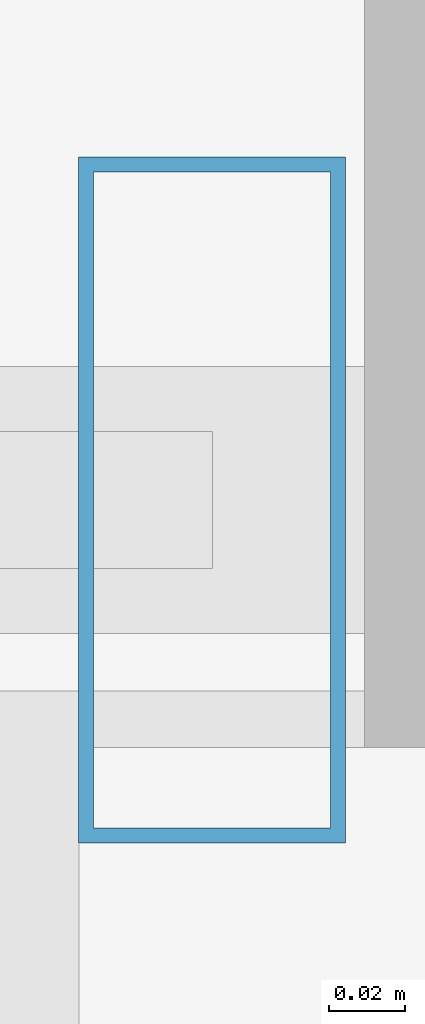
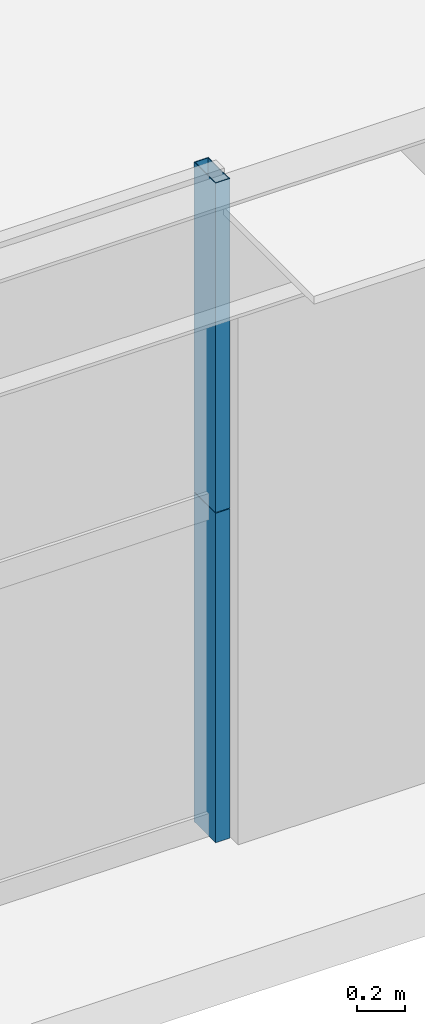
# One storey, part 17 of 46: 2 members, 1 element without a shape of its own.
"""IFC4 building model written with IfcOpenShell, lengths in metres."""

from ifc_helpers import new_model, si_unit, direction, frame, origin, origin_2d, place, context, subcontext, project, spatial, hollow_rectangle, extrude, source, transform, mapped, material, layer, layer_set, material_profile, profile_set, type_object, element, aggregate, save


model = new_model("IFC4")

# Units and contexts
model_context = context("Model", 3, precision=1e-05, world=origin(), true_north=direction((0.0, 1.0)))
body_context = subcontext(model_context, "Body", "Model", "MODEL_VIEW")
ifc_project = project(units=[si_unit("LENGTHUNIT", "METRE"), si_unit("AREAUNIT", "SQUARE_METRE"), si_unit("VOLUMEUNIT", "CUBIC_METRE"), si_unit("PLANEANGLEUNIT", "RADIAN"), si_unit("MASSUNIT", "GRAM", prefix="KILO"), si_unit("THERMODYNAMICTEMPERATUREUNIT", "KELVIN"), si_unit("POWERUNIT", "WATT")], contexts=[model_context])

# Site, building, storey
site_placement = place(None, origin())
site = spatial("IfcSite", under=ifc_project, at=site_placement, CompositionType="ELEMENT")
building_placement = place(site_placement, origin())
building = spatial("IfcBuilding", under=site, at=building_placement, Name="Yuzanri Waterfront Tower", CompositionType="ELEMENT")
storey_placement = place(building_placement, frame((0.0, 0.0, 56.800048828125)))
storey = spatial("IfcBuildingStorey", under=building, at=storey_placement, Name="L14", CompositionType="ELEMENT", Elevation=56.800048828125)

# Curtain wall, members
ifc_material_1 = material(Name="Anodized Architectural Bronze", Category="metal")
ifc_layer = layer(ifc_material_1, 0.159912109375)
ifc_layer_set = layer_set([ifc_layer], Name="Anodized Architectural Bronze")
curtain_wall_type = type_object("IfcCurtainWallType", Name="Anodized Bronze Hotel Lower-Tier Recessed Unitized Curtain Wall 8100", PredefinedType="NOTDEFINED", material=ifc_layer_set)
curtain_wall_placement = place(storey_placement, origin())
curtain_wall = element("IfcCurtainWall", 1, at=curtain_wall_placement, inside=storey, type_object=curtain_wall_type, Name="L14 Curtain Wall CW-L14-SR2", PredefinedType="NOTDEFINED")
ifc_material_2 = material(Name="Anodized Architectural Bronze", Category="metal")
ifc_material_profile = material_profile(ifc_material_2, hollow_rectangle(XDim=0.070068359375, YDim=0.179931640625, WallThickness=0.00390625, at=origin_2d()), Name="CWM 70x180")
ifc_profile_set = profile_set([ifc_material_profile], Name="Anodized Architectural Bronze")
member_type = type_object("IfcMemberType", Name="Anodized Bronze Standard Curtain-Wall Mullion 70x180", PredefinedType="MULLION", material=ifc_profile_set)
shared_shape = source(origin(), body_context, "Body", "SweptSolid", [
    extrude(hollow_rectangle(XDim=0.070068359375, YDim=0.179931640625, WallThickness=0.00390625, at=origin_2d()), origin(), (0.0, 0.0, 1.0), 1.68798828125),
])
member_1_placement = place(storey_placement, frame((54.7099609375, 0.85009765625, 0.0), z_axis=(0.0, 0.0, 1.0), x_axis=(1.0, 0.0, 0.0)))
member_1 = element("IfcMember", 2, at=member_1_placement, type_object=member_type, Name="CW-L14-SR2 Lower Mullion 02", PredefinedType="MULLION", context=body_context, shape_type="MappedRepresentation", body=[
    mapped(shared_shape, transform((0.0, 0.0, 0.0), scale=1.0)),
])
member_2_placement = place(storey_placement, frame((54.7099609375, 0.85009765625, 1.69189453125), z_axis=(0.0, 0.0, 1.0), x_axis=(1.0, 0.0, 0.0)))
member_2 = element("IfcMember", 3, at=member_2_placement, type_object=member_type, Name="CW-L14-SR2 Upper Mullion 02", PredefinedType="MULLION", context=body_context, shape_type="MappedRepresentation", body=[
    mapped(shared_shape, transform((0.0, 0.0, 0.0), scale=1.0)),
])
aggregate(curtain_wall, [member_1, member_2])

save(model, "model.ifc")
